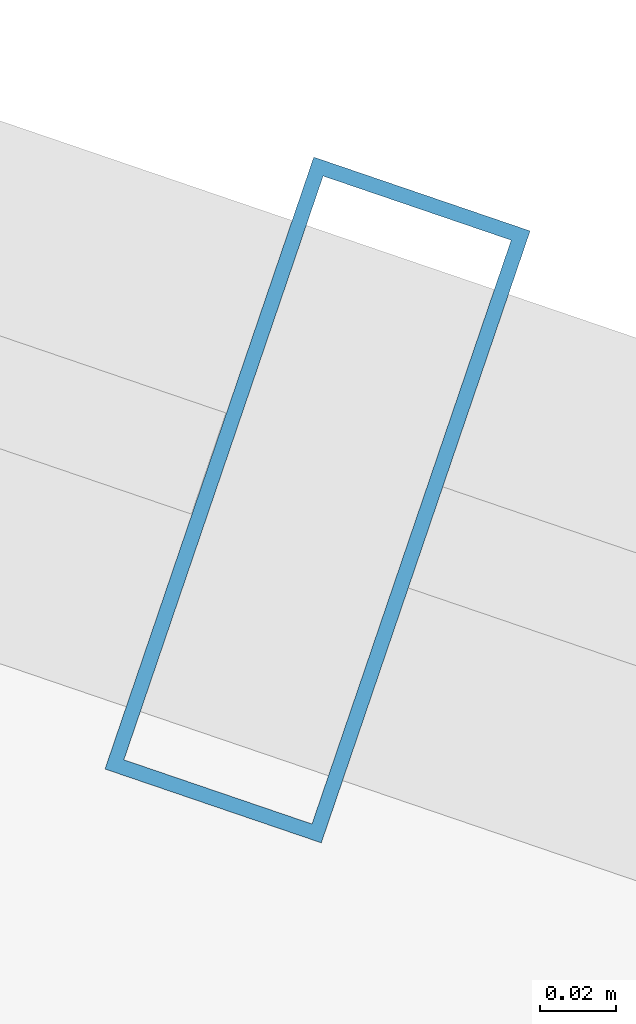
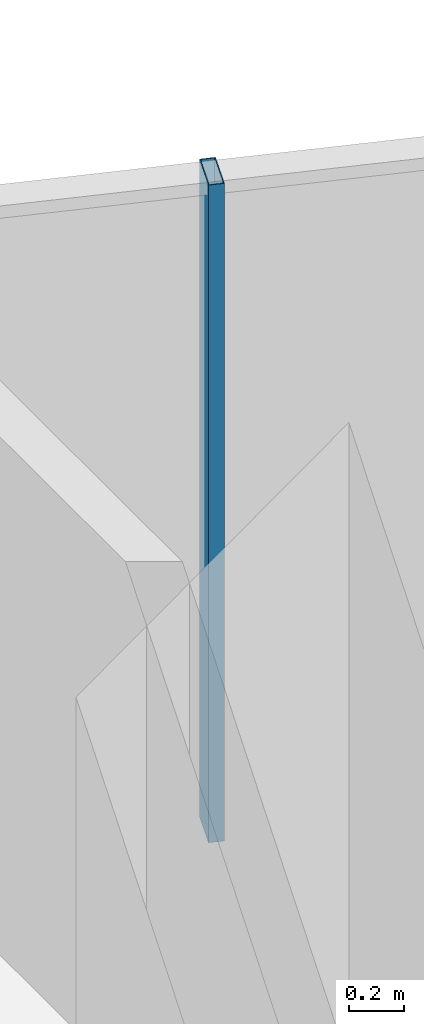
# One storey, part 25 of 36: 1 member, 1 element without a shape of its own.
"""IFC4 building model written with IfcOpenShell, lengths in metres."""

from ifc_helpers import new_model, si_unit, direction, frame, origin, origin_2d, place, context, subcontext, project, spatial, hollow_rectangle, extrude, source, transform, mapped, material, layer, layer_set, material_profile, profile_set, type_object, element, aggregate, save


model = new_model("IFC4")

# Units and contexts
model_context = context("Model", 3, precision=1e-05, world=origin(), true_north=direction((0.0, 1.0)))
body_context = subcontext(model_context, "Body", "Model", "MODEL_VIEW")
ifc_project = project(units=[si_unit("LENGTHUNIT", "METRE"), si_unit("AREAUNIT", "SQUARE_METRE"), si_unit("VOLUMEUNIT", "CUBIC_METRE"), si_unit("PLANEANGLEUNIT", "RADIAN"), si_unit("MASSUNIT", "GRAM", prefix="KILO")], contexts=[model_context])

# Site, building, storey
site_placement = place(None, origin())
site = spatial("IfcSite", under=ifc_project, at=site_placement, CompositionType="ELEMENT")
building_placement = place(site_placement, origin())
building = spatial("IfcBuilding", under=site, at=building_placement, Name="Veraguas Prism Commons", CompositionType="ELEMENT")
storey_placement = place(building_placement, frame((0.0, 0.0, 166.300048828125)))
storey = spatial("IfcBuildingStorey", under=building, at=storey_placement, Name="L47", CompositionType="ELEMENT", Elevation=166.300048828125)

# Curtain wall, member
ifc_material = material(Name="Anodised aluminium EN AW-6063 T6", Category="aluminium")
ifc_layer = layer(ifc_material, 0.169921875, Name="Unitised Flush Curtain Wall Zone 2", Category="aluminium")
ifc_layer_set = layer_set([ifc_layer], Name="Anodised aluminium EN AW-6063 T6")
curtain_wall_type = type_object("IfcCurtainWallType", Name="Unitised Flush Curtain Wall Zone 2", PredefinedType="NOTDEFINED", material=ifc_layer_set)
curtain_wall_placement = place(storey_placement, origin())
curtain_wall = element("IfcCurtainWall", 1, at=curtain_wall_placement, inside=storey, type_object=curtain_wall_type, Name="Tower Facade Curtain Wall L47-F1", PredefinedType="NOTDEFINED")
ifc_material_profile = material_profile(ifc_material, hollow_rectangle(XDim=0.06005859375, YDim=0.169921875, WallThickness=0.00390625, at=origin_2d()), Name="AL60X170X4")
ifc_profile_set = profile_set([ifc_material_profile], Name="Anodised aluminium EN AW-6063 T6")
member_type = type_object("IfcMemberType", Name="Curtain Wall Mullion Lower AL 60x170x4", PredefinedType="MULLION", material=ifc_profile_set)
shared_shape = source(origin(), body_context, "Body", "SweptSolid", [
    extrude(hollow_rectangle(XDim=0.06005859375, YDim=0.169921875, WallThickness=0.00390625, at=origin_2d()), origin(), (0.0, 0.0, 1.0), 2.929931640625),
])
member_placement = place(storey_placement, frame((30.194580078125, 42.15478515625, 0.0), z_axis=(0.0, 0.0, 1.0), x_axis=(-0.946424609155, 0.322924850679, 0.0)))
member = element("IfcMember", 2, at=member_placement, type_object=member_type, Name="CW-Z2 Mullion 3", PredefinedType="MULLION", context=body_context, shape_type="MappedRepresentation", body=[
    mapped(shared_shape, transform((0.0, 0.0, 0.0), scale=1.0)),
])
aggregate(curtain_wall, [member])

save(model, "model.ifc")
